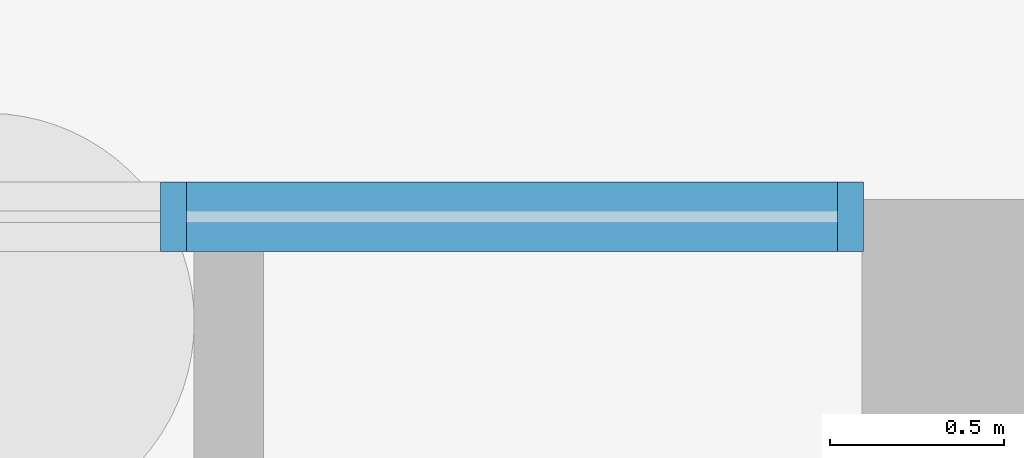
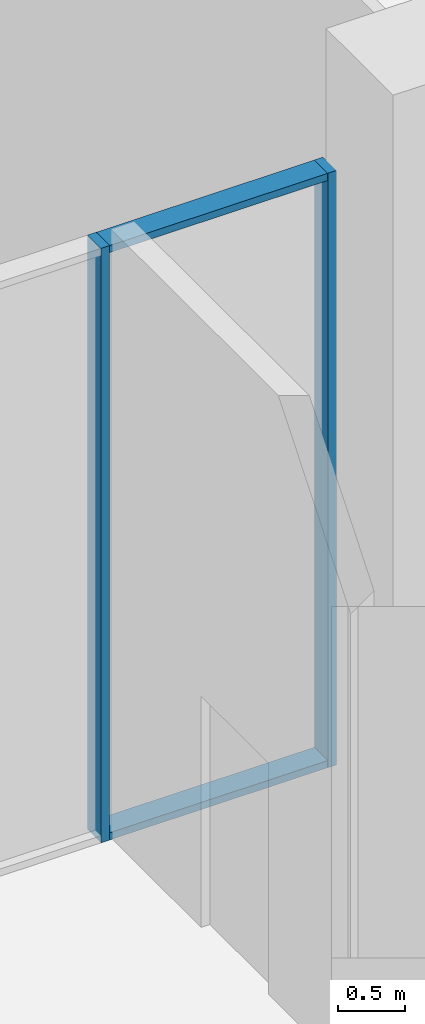
# One storey, part 11 of 44: 4 members, 1 element without a shape of its own.
"""IFC4 building model written with IfcOpenShell, lengths in metres."""

import ifcopenshell
import ifcopenshell.guid

model = None  # the IFC model being written
_history = None  # IfcOwnerHistory: only IFC2X3 demands one
_inside = {}  # id of a spatial element -> (the spatial element, [elements in it])
_under = {}  # id of a project, library or spatial element -> (it, [spatial elements below it])
_declared = {}  # id of a project -> (the project, [libraries it declares])
_typed = {}  # id of a type object -> (the type object, [elements of that type])
_made_of = {}  # id of a material, layer set ... -> (it, [elements and type objects made of it])


def new_model(schema):
    """Start an empty IFC model of exactly this schema.

    Asked for "IFC4X3", IfcOpenShell would pick the latest addendum, in which some entities
    have other attributes; the version numbers below select the first issue.
    IFC2X3 requires an IfcOwnerHistory on every rooted entity: one is made here for all.
    """
    global model, _history
    if schema == "IFC4X3":
        model = ifcopenshell.file(schema_version=(4, 3, 0, 0))
    else:
        model = ifcopenshell.file(schema=schema)
    _inside.clear()
    _under.clear()
    _declared.clear()
    _typed.clear()
    _made_of.clear()
    _history = None
    if model.schema == "IFC2X3":
        org = make("IfcOrganization", Name="unknown")
        user = make(
            "IfcPersonAndOrganization",
            ThePerson=make("IfcPerson", FamilyName="unknown"),
            TheOrganization=org,
        )
        app = make(
            "IfcApplication",
            ApplicationDeveloper=org,
            Version="unknown",
            ApplicationFullName="unknown",
            ApplicationIdentifier="unknown",
        )
        _history = make(
            "IfcOwnerHistory",
            OwningUser=user,
            OwningApplication=app,
            ChangeAction="ADDED",
            CreationDate=0,
        )
    return model


def make(cls, **values):
    """One entity of the class cls with the attributes given. An attribute that is None is left unset."""
    return model.create_entity(
        cls, **{name: value for name, value in values.items() if value is not None}
    )


def rooted(cls, **values):
    """An entity with a GlobalId (a new one), such as an element, a storey or a relation."""
    return make(cls, GlobalId=ifcopenshell.guid.new(), OwnerHistory=_history, **values)


def si_unit(unit_type, name, prefix=None):
    """IfcSIUnit, for example si_unit("LENGTHUNIT", "METRE", prefix="MILLI")."""
    return make("IfcSIUnit", UnitType=unit_type, Prefix=prefix, Name=name)


def assignment(units):
    """IfcUnitAssignment: the units of a project."""
    return None if units is None else make("IfcUnitAssignment", Units=units)


def point(xyz):
    """IfcCartesianPoint."""
    return None if xyz is None else make("IfcCartesianPoint", Coordinates=xyz)


def direction(xyz):
    """IfcDirection."""
    return None if xyz is None else make("IfcDirection", DirectionRatios=xyz)


def frame(location, z_axis=None, x_axis=None):
    """IfcAxis2Placement3D, a coordinate frame: its origin and axes. An axis left out is left unset."""
    return make(
        "IfcAxis2Placement3D",
        Location=point(location),
        Axis=direction(z_axis),
        RefDirection=direction(x_axis),
    )


def frame_2d(location, x_axis=None):
    """IfcAxis2Placement2D, a coordinate frame in the plane: its origin and x axis."""
    return make(
        "IfcAxis2Placement2D", Location=point(location), RefDirection=direction(x_axis)
    )


def origin():
    """The frame at (0, 0, 0) with its axes left unset."""
    return frame((0.0, 0.0, 0.0))


def origin_2d():
    """The frame at (0, 0) in the plane with its x axis left unset."""
    return frame_2d((0.0, 0.0))


def place(relative_to, where):
    """IfcLocalPlacement: puts the frame where relative to a parent placement (None: the world)."""
    return make(
        "IfcLocalPlacement", PlacementRelTo=relative_to, RelativePlacement=where
    )


def context(
    kind, dimensions, precision=None, world=None, true_north=None, identifier=None
):
    """IfcGeometricRepresentationContext, for example the 3D "Model" context."""
    return make(
        "IfcGeometricRepresentationContext",
        ContextIdentifier=identifier,
        ContextType=kind,
        CoordinateSpaceDimension=dimensions,
        Precision=precision,
        WorldCoordinateSystem=world,
        TrueNorth=true_north,
    )


def subcontext(parent, identifier, kind, view, scale=None):
    """IfcGeometricRepresentationSubContext, for example "Body" below "Model"."""
    return make(
        "IfcGeometricRepresentationSubContext",
        ContextIdentifier=identifier,
        ContextType=kind,
        ParentContext=parent,
        TargetScale=scale,
        TargetView=view,
    )


def project(units=None, contexts=None):
    """IfcProject with its units and contexts."""
    return rooted(
        "IfcProject",
        Name="project",
        RepresentationContexts=contexts,
        UnitsInContext=assignment(units),
    )


def spatial(cls, under=None, at=None, **own):
    """A site, building, storey or space (cls), placed at a placement, below another one or the project."""
    s = rooted(cls, ObjectPlacement=at, **own)
    if under is not None:
        _under.setdefault(under.id(), (under, []))[1].append(s)
    return s


def profile(cls, at=None, kind="AREA", **sizes):
    """A parametric profile (cls). Its sizes go by their IFC names, for example OverallWidth=200.0."""
    return make(cls, ProfileType=kind, Position=at, **sizes)


def rectangle(**sizes):
    """IfcRectangleProfileDef."""
    return profile("IfcRectangleProfileDef", **sizes)


def extrude(swept, where, along, depth):
    """IfcExtrudedAreaSolid: the profile swept, set in the frame where, extruded along a direction by depth."""
    return make(
        "IfcExtrudedAreaSolid",
        SweptArea=swept,
        Position=where,
        ExtrudedDirection=direction(along),
        Depth=depth,
    )


def shape(context_of_items, identifier, shape_type, items):
    """IfcShapeRepresentation: the items that make up one representation, for example the "Body"."""
    return make(
        "IfcShapeRepresentation",
        ContextOfItems=context_of_items,
        RepresentationIdentifier=identifier,
        RepresentationType=shape_type,
        Items=items,
    )


def material(Name=None, Category=None):
    """IfcMaterial."""
    return make("IfcMaterial", Name=Name, Category=Category)


def layer(
    of_material, thickness, ventilated=None, Name=None, Category=None, Priority=None
):
    """IfcMaterialLayer: one layer of a wall or slab, of a material (None: an air gap)."""
    return make(
        "IfcMaterialLayer",
        Material=of_material,
        LayerThickness=thickness,
        IsVentilated=ventilated,
        Name=Name,
        Category=Category,
        Priority=Priority,
    )


def layer_set(layers, Name=None):
    """IfcMaterialLayerSet."""
    return make("IfcMaterialLayerSet", MaterialLayers=layers, LayerSetName=Name)


def material_profile(
    of_material, cross_section, Name=None, Category=None, Priority=None
):
    """IfcMaterialProfile: a cross section and its material."""
    return make(
        "IfcMaterialProfile",
        Name=Name,
        Material=of_material,
        Profile=cross_section,
        Priority=Priority,
        Category=Category,
    )


def profile_set(profiles, Name=None, composite=None):
    """IfcMaterialProfileSet."""
    return make(
        "IfcMaterialProfileSet",
        Name=Name,
        MaterialProfiles=profiles,
        CompositeProfile=composite,
    )


def made_of(thing, what):
    """Note that an element or type object is made of a material, layer set ...; save() writes the relation."""
    if what is not None:
        _made_of.setdefault(what.id(), (what, []))[1].append(thing)
    return thing


def type_object(cls, material=None, **own):
    """A type object (cls), such as IfcWallType, which elements share."""
    return made_of(rooted(cls, **own), material)


def element(
    cls,
    number,
    at=None,
    inside=None,
    cuts=None,
    type_object=None,
    material=None,
    context=None,
    identifier="Body",
    shape_type=None,
    held_by="IfcProductDefinitionShape",
    body=None,
    shapes=None,
    **own,
):
    """One element of the class cls, such as IfcWall. Its Tag is "e" and its number.

    at: its placement. inside: the storey or other place that contains it. cuts: it is an
    opening in that element (IfcRelVoidsElement). A single representation is given by context,
    identifier, shape_type and body (its items); several are given by shapes. held_by: the class
    of the entity that holds the representations. save() writes the other relations.
    """
    e = rooted(cls, Tag="e%d" % number, ObjectPlacement=at, **own)
    if body is not None:
        shapes = [shape(context, identifier, shape_type, body)]
    if shapes is not None:
        e.Representation = make(held_by, Representations=shapes)
    if inside is not None:
        _inside.setdefault(inside.id(), (inside, []))[1].append(e)
    if cuts is not None:
        rooted(
            "IfcRelVoidsElement", RelatingBuildingElement=cuts, RelatedOpeningElement=e
        )
    if type_object is not None:
        _typed.setdefault(type_object.id(), (type_object, []))[1].append(e)
    return made_of(e, material)


def aggregate(whole, parts):
    """IfcRelAggregates: a whole, such as a stair, and the parts it consists of."""
    return rooted("IfcRelAggregates", RelatingObject=whole, RelatedObjects=parts)


def save(model, path):
    """Write the relations noted so far, then the file.

    IfcRelAggregates (storeys below a building ...), IfcRelContainedInSpatialStructure (elements
    in a storey), IfcRelDefinesByType, IfcRelAssociatesMaterial and IfcRelDeclares: one each for
    every whole, place, type object, material and project.
    """
    for whole, parts in _under.values():
        aggregate(whole, parts)
    for where, things in _inside.values():
        rooted(
            "IfcRelContainedInSpatialStructure",
            RelatedElements=things,
            RelatingStructure=where,
        )
    for kind, things in _typed.values():
        rooted("IfcRelDefinesByType", RelatedObjects=things, RelatingType=kind)
    for what, things in _made_of.values():
        rooted("IfcRelAssociatesMaterial", RelatedObjects=things, RelatingMaterial=what)
    for by, libraries in _declared.values():
        rooted("IfcRelDeclares", RelatingContext=by, RelatedDefinitions=libraries)
    model.write(path)


model = new_model("IFC4")

# Units and contexts
model_context = context("Model", 3, precision=1e-05, world=origin(), true_north=direction((0.0, 1.0)))
body_context = subcontext(model_context, "Body", "Model", "MODEL_VIEW")
ifc_project = project(units=[si_unit("LENGTHUNIT", "METRE"), si_unit("AREAUNIT", "SQUARE_METRE"), si_unit("VOLUMEUNIT", "CUBIC_METRE"), si_unit("PLANEANGLEUNIT", "RADIAN"), si_unit("MASSUNIT", "GRAM", prefix="KILO")], contexts=[model_context])

# Site, building, storey
site_placement = place(None, origin())
site = spatial("IfcSite", under=ifc_project, at=site_placement, CompositionType="ELEMENT")
building_placement = place(site_placement, origin())
building = spatial("IfcBuilding", under=site, at=building_placement, Name="Nakaniwa Court", CompositionType="ELEMENT")
storey_placement = place(building_placement, origin())
storey = spatial("IfcBuildingStorey", under=building, at=storey_placement, Name="L00", CompositionType="ELEMENT", Elevation=0.0)

# Curtain wall, members
ifc_material_1 = material(Name="Black anodised aluminium frame with dark low-E laminated double glazing", Category="aluminium")
ifc_layer = layer(ifc_material_1, 0.199951171875)
ifc_layer_set = layer_set([ifc_layer], Name="Black anodised aluminium frame with dark low-E laminated double glazing")
curtain_wall_type = type_object("IfcCurtainWallType", Name="Portal side curtain wall", PredefinedType="NOTDEFINED", material=ifc_layer_set)
curtain_wall_placement = place(storey_placement, origin())
curtain_wall = element("IfcCurtainWall", 1, at=curtain_wall_placement, inside=storey, type_object=curtain_wall_type, Name="L00 curtain wall CW5 06", PredefinedType="NOTDEFINED")
ifc_material_2 = material(Name="Black anodised aluminium extrusion", Category="aluminium")
ifc_material_profile_1 = material_profile(ifc_material_2, rectangle(XDim=0.199951171875, YDim=0.074951171875, at=origin_2d()), Name="Portal side curtain wall mullion 75x200")
ifc_profile_set_1 = profile_set([ifc_material_profile_1], Name="Black anodised aluminium extrusion")
member_type_1 = type_object("IfcMemberType", Name="Portal side curtain wall mullion 75x200", PredefinedType="MULLION", material=ifc_profile_set_1)
member_1_placement = place(storey_placement, frame((102.28955078125, 72.5, 0.0), z_axis=(0.0, 0.0, 1.0), x_axis=(0.0, -1.0, 0.0)))
member_1 = element("IfcMember", 2, at=member_1_placement, type_object=member_type_1, Name="CW5 mullion 1", PredefinedType="MULLION", context=body_context, shape_type="SweptSolid", body=[
    extrude(rectangle(XDim=0.199951171875, YDim=0.074951171875, at=origin_2d()), origin(), (0.0, 0.0, 1.0), 5.39990234375),
])
member_2_placement = place(storey_placement, frame((100.340576171875, 72.5, 0.0), z_axis=(0.0, 0.0, 1.0), x_axis=(0.0, -1.0, 0.0)))
member_2 = element("IfcMember", 3, at=member_2_placement, type_object=member_type_1, Name="CW5 mullion 2", PredefinedType="MULLION", context=body_context, shape_type="SweptSolid", body=[
    extrude(rectangle(XDim=0.199951171875, YDim=0.074951171875, at=origin_2d()), origin(), (0.0, 0.0, 1.0), 5.39990234375),
])
ifc_material_profile_2 = material_profile(ifc_material_2, rectangle(XDim=0.199951171875, YDim=0.06494140625, at=origin_2d()), Name="Portal side curtain wall transom 65x200")
ifc_profile_set_2 = profile_set([ifc_material_profile_2], Name="Black anodised aluminium extrusion")
member_type_2 = type_object("IfcMemberType", Name="Portal side curtain wall transom 65x200", PredefinedType="USERDEFINED", material=ifc_profile_set_2)
member_3_placement = place(storey_placement, frame((102.251953125, 72.5, 0.032470703125), z_axis=(-1.0, 0.0, 0.0), x_axis=(0.0, -1.0, 0.0)))
member_3 = element("IfcMember", 4, at=member_3_placement, type_object=member_type_2, Name="CW5 transom 1.1", ObjectType="TRANSOM", PredefinedType="USERDEFINED", context=body_context, shape_type="SweptSolid", body=[
    extrude(rectangle(XDim=0.199951171875, YDim=0.06494140625, at=origin_2d()), origin(), (0.0, 0.0, 1.0), 1.8740234375),
])
member_4_placement = place(storey_placement, frame((102.251953125, 72.5, 5.367431640625), z_axis=(-1.0, 0.0, 0.0), x_axis=(0.0, -1.0, 0.0)))
member_4 = element("IfcMember", 5, at=member_4_placement, type_object=member_type_2, Name="CW5 transom 1.2", ObjectType="TRANSOM", PredefinedType="USERDEFINED", context=body_context, shape_type="SweptSolid", body=[
    extrude(rectangle(XDim=0.199951171875, YDim=0.06494140625, at=origin_2d()), origin(), (0.0, 0.0, 1.0), 1.8740234375),
])
aggregate(curtain_wall, [member_1, member_2, member_3, member_4])

save(model, "model.ifc")
